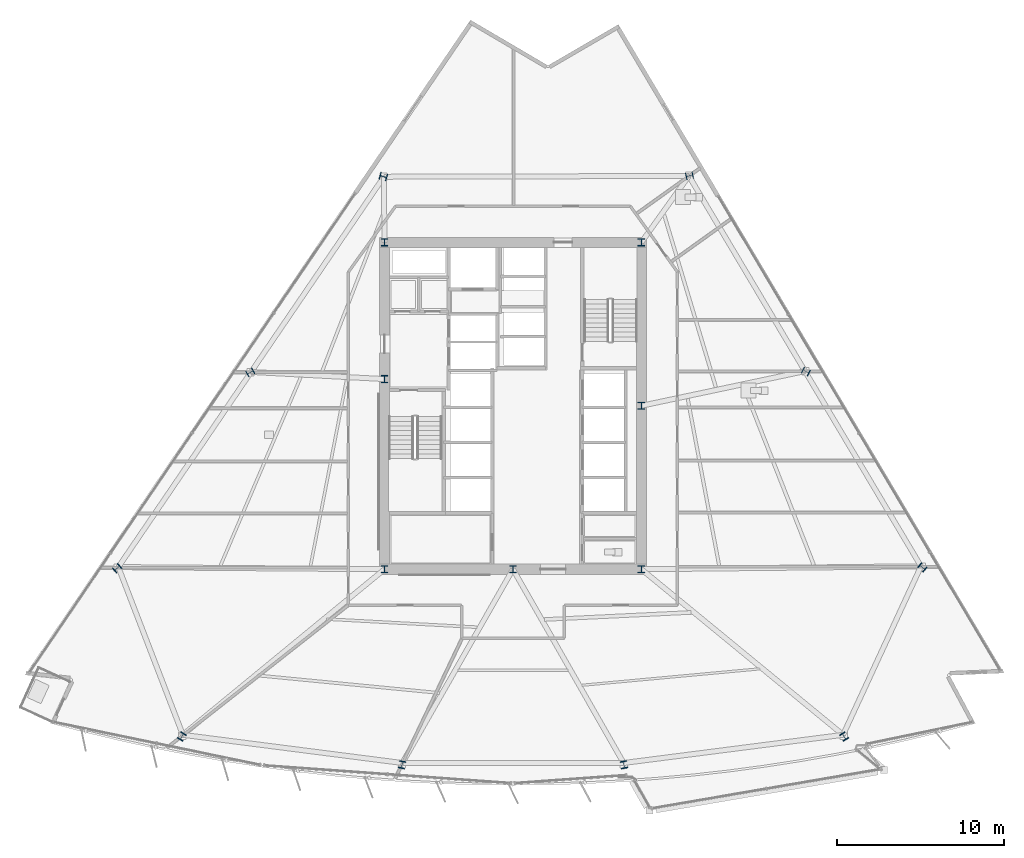
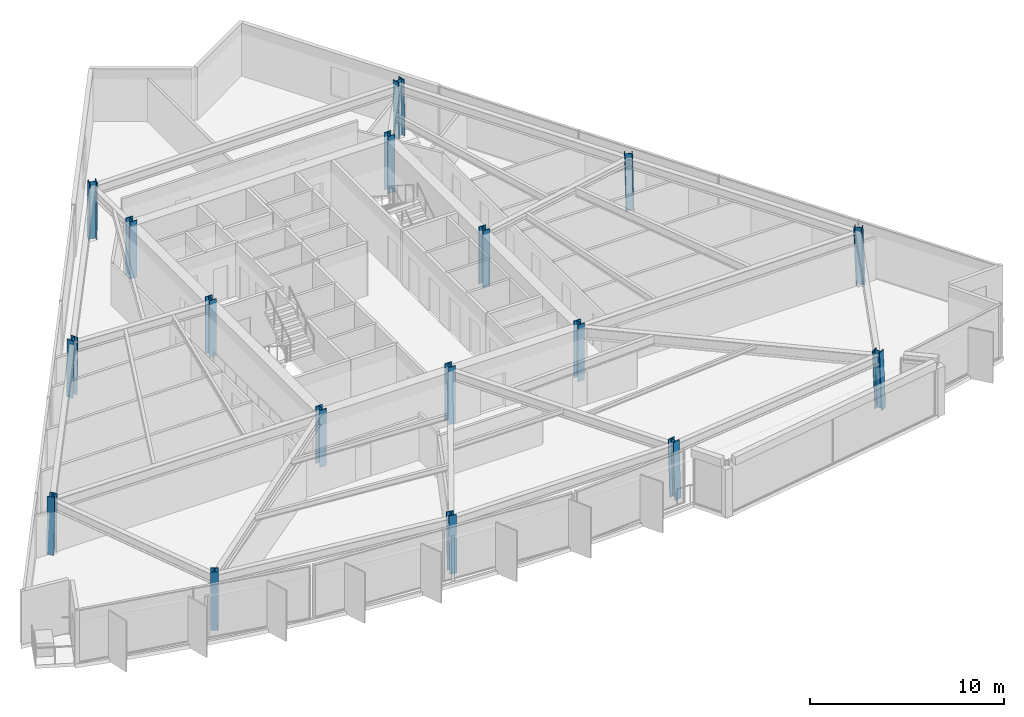
# One storey, part 1 of 16: 17 columns.
"""IFC4 building model written with IfcOpenShell, lengths in metres."""

from ifc_helpers import new_model, si_unit, direction, frame, origin, origin_2d, place, context, subcontext, project, spatial, i_section, extrude, material, material_profile, profile_set, type_object, element, save


model = new_model("IFC4")

# Units and contexts
model_context = context("Model", 3, precision=1e-05, world=origin(), true_north=direction((0.0, 1.0)))
body_context = subcontext(model_context, "Body", "Model", "MODEL_VIEW")
ifc_project = project(units=[si_unit("LENGTHUNIT", "METRE"), si_unit("AREAUNIT", "SQUARE_METRE"), si_unit("VOLUMEUNIT", "CUBIC_METRE"), si_unit("PLANEANGLEUNIT", "RADIAN"), si_unit("MASSUNIT", "GRAM", prefix="KILO")], contexts=[model_context])

# Site, building, storey
site_placement = place(None, origin())
site = spatial("IfcSite", under=ifc_project, at=site_placement, CompositionType="ELEMENT")
building_placement = place(site_placement, origin())
building = spatial("IfcBuilding", under=site, at=building_placement, Name="Savorim Split Tower", CompositionType="ELEMENT")
storey_placement = place(building_placement, frame((0.0, 0.0, 51.60009765625)))
storey = spatial("IfcBuildingStorey", under=building, at=storey_placement, Name="L13", CompositionType="ELEMENT", Elevation=51.60009765625)

# Columns
ifc_material = material(Name="Steel S460", Category="steel")
ifc_material_profile_1 = material_profile(ifc_material, i_section(OverallWidth=0.412109375, OverallDepth=0.43505859375, WebThickness=0.022705078125, FlangeThickness=0.037109375, FilletRadius=0.014892578125, at=origin_2d()), Name="HD 400x463")
ifc_profile_set_1 = profile_set([ifc_material_profile_1], Name="Steel S460")
column_type_1 = type_object("IfcColumnType", Name="COL-HD-463", PredefinedType="COLUMN", material=ifc_profile_set_1)
column_1_placement = place(storey_placement, frame((-19.86376953125, -19.4462890625, 0.00537109375), z_axis=(0.020594893987, 0.033509183946, 0.999226193078), x_axis=(-0.851954850327, 0.523615252838, 0.0)))
element("IfcColumn", 1, at=column_1_placement, inside=storey, type_object=column_type_1, Name="L13 Tapered Perimeter Column PC-S1", PredefinedType="COLUMN", context=body_context, shape_type="SweptSolid", body=[
    extrude(i_section(OverallWidth=0.412109375, OverallDepth=0.43505859375, WebThickness=0.022705078125, FlangeThickness=0.037109375, FilletRadius=0.014892578125, at=origin_2d()), origin(), (0.0, 0.0, 1.0), 3.591796875),
])
for number, where, z_axis, x_axis, name in (
    (2, (-6.657470703125, -21.141845703125, 0.00537109375), (0.00693381708, 0.03528089279, 0.999353381334), (-0.981229659911, 0.192842823335, 0.0), "L13 Tapered Perimeter Column PC-S2"),
    (3, (6.657470703125, -21.141845703125, 0.00537109375), (-0.00693381708, 0.03528089279, 0.999353381334), (-0.981229659911, -0.192842823335, 0.0), "L13 Tapered Perimeter Column PC-S3"),
):
    element("IfcColumn", number, at=place(storey_placement, frame(where, z_axis=z_axis, x_axis=x_axis)), inside=storey, type_object=column_type_1, Name=name, PredefinedType="COLUMN", context=body_context, shape_type="SweptSolid", body=[
        extrude(i_section(OverallWidth=0.412109375, OverallDepth=0.43505859375, WebThickness=0.022705078125, FlangeThickness=0.037109375, FilletRadius=0.014892578125, at=origin_2d()), origin(), (0.0, 0.0, 1.0), 3.591552734375),
    ])
column_2_placement = place(storey_placement, frame((19.86376953125, -19.4462890625, 0.00537109375), z_axis=(-0.020594893987, 0.033509183946, 0.999226193078), x_axis=(-0.851954850327, -0.523615252838, 0.0)))
element("IfcColumn", 4, at=column_2_placement, inside=storey, type_object=column_type_1, Name="L13 Tapered Perimeter Column PC-S4", PredefinedType="COLUMN", context=body_context, shape_type="SweptSolid", body=[
    extrude(i_section(OverallWidth=0.412109375, OverallDepth=0.43505859375, WebThickness=0.022705078125, FlangeThickness=0.037109375, FilletRadius=0.014892578125, at=origin_2d()), origin(), (0.0, 0.0, 1.0), 3.591796875),
])
column_3_placement = place(storey_placement, frame((24.554931640625, -9.300048828125, 0.00537109375), z_axis=(-0.026105663043, 0.021618752208, 0.999425396871), x_axis=(-0.637813971185, -0.770190455771, 0.0)))
element("IfcColumn", 5, at=column_3_placement, inside=storey, type_object=column_type_1, Name="L13 Tapered Perimeter Column PC-E1", PredefinedType="COLUMN", context=body_context, shape_type="SweptSolid", body=[
    extrude(i_section(OverallWidth=0.412109375, OverallDepth=0.43505859375, WebThickness=0.022705078125, FlangeThickness=0.037109375, FilletRadius=0.014892578125, at=origin_2d()), origin(), (0.0, 0.0, 1.0), 3.591064453125),
])
column_4_placement = place(storey_placement, frame((17.572021484375, 2.443115234375, 0.00537109375), z_axis=(-0.018906041, 0.009521027842, 0.999775930718), x_axis=(-0.449781931574, -0.893138406984, 0.0)))
element("IfcColumn", 6, at=column_4_placement, inside=storey, type_object=column_type_1, Name="L13 Tapered Perimeter Column PC-E2", PredefinedType="COLUMN", context=body_context, shape_type="SweptSolid", body=[
    extrude(i_section(OverallWidth=0.412109375, OverallDepth=0.43505859375, WebThickness=0.022705078125, FlangeThickness=0.037109375, FilletRadius=0.014892578125, at=origin_2d()), origin(), (0.0, 0.0, 1.0), 3.58984375),
])
for number, where, z_axis, x_axis, name in (
    (7, (10.58935546875, 14.186279296875, 0.00537109375), (-0.011699046613, -0.002516655376, 0.999928396814), (0.210305364179, -0.977635746993, 0.0), "L13 Tapered Perimeter Column PC-E3"),
    (8, (-7.7705078125, 14.137451171875, 0.00537109375), (0.008842562123, -0.00251672922, 0.999957736691), (0.273743828055, 0.961802639112, 0.0), "L13 Tapered Perimeter Column PC-W1"),
):
    element("IfcColumn", number, at=place(storey_placement, frame(where, z_axis=z_axis, x_axis=x_axis)), inside=storey, type_object=column_type_1, Name=name, PredefinedType="COLUMN", context=body_context, shape_type="SweptSolid", body=[
        extrude(i_section(OverallWidth=0.412109375, OverallDepth=0.43505859375, WebThickness=0.022705078125, FlangeThickness=0.037109375, FilletRadius=0.014892578125, at=origin_2d()), origin(), (0.0, 0.0, 1.0), 3.58935546875),
    ])
column_5_placement = place(storey_placement, frame((-15.759033203125, 2.394287109375, 0.00537109375), z_axis=(0.017002405671, 0.009589356798, 0.999809463067), x_axis=(-0.491253415567, 0.871016694268, 0.0)))
element("IfcColumn", 9, at=column_5_placement, inside=storey, type_object=column_type_1, Name="L13 Tapered Perimeter Column PC-W2", PredefinedType="COLUMN", context=body_context, shape_type="SweptSolid", body=[
    extrude(i_section(OverallWidth=0.412109375, OverallDepth=0.43505859375, WebThickness=0.022705078125, FlangeThickness=0.037109375, FilletRadius=0.014892578125, at=origin_2d()), origin(), (0.0, 0.0, 1.0), 3.58984375),
])
column_6_placement = place(storey_placement, frame((-23.747802734375, -9.348876953125, 0.00537109375), z_axis=(0.025290391274, 0.021619205444, 0.999446349768), x_axis=(-0.649781149204, 0.760121344352, 0.0)))
element("IfcColumn", 10, at=column_6_placement, inside=storey, type_object=column_type_1, Name="L13 Tapered Perimeter Column PC-W3", PredefinedType="COLUMN", context=body_context, shape_type="SweptSolid", body=[
    extrude(i_section(OverallWidth=0.412109375, OverallDepth=0.43505859375, WebThickness=0.022705078125, FlangeThickness=0.037109375, FilletRadius=0.014892578125, at=origin_2d()), origin(), (0.0, 0.0, 1.0), 3.591064453125),
])
ifc_material_profile_2 = material_profile(ifc_material, i_section(OverallWidth=0.416015625, OverallDepth=0.446044921875, WebThickness=0.02490234375, FlangeThickness=0.0400390625, FilletRadius=0.014892578125, at=origin_2d()), Name="HD 400x509")
ifc_profile_set_2 = profile_set([ifc_material_profile_2], Name="Steel S460")
column_type_2 = type_object("IfcColumnType", Name="COL-HD-509", PredefinedType="COLUMN", material=ifc_profile_set_2)
for number, where, z_axis, x_axis, name in (
    (11, (-7.699951171875, -9.39990234375, 0.0), (0.0, 0.0, 1.0), (1.0, 0.0, 0.0), "L13 Core Structural Column TC-C1"),
    (12, (7.699951171875, -9.39990234375, 0.0), (0.0, 0.0, 1.0), (1.0, 0.0, 0.0), "L13 Core Structural Column TC-C2"),
    (13, (7.699951171875, 10.199951171875, 0.0), (0.0, 0.0, 1.0), (1.0, 0.0, 0.0), "L13 Core Structural Column TC-C3"),
    (14, (-7.699951171875, 10.199951171875, 0.0), (0.0, 0.0, 1.0), (1.0, 0.0, 0.0), "L13 Core Structural Column TC-C4"),
    (15, (0.0, -9.39990234375, 0.0), (0.0, 0.0, 1.0), (1.0, 0.0, 0.0), "L13 Core Structural Column TC-C5"),
    (16, (7.699951171875, 0.39990234375, 0.0), (0.0, 0.0, 1.0), (1.0, 0.0, 0.0), "L13 Core Structural Column TC-C6"),
    (17, (-7.699951171875, 2.0, 0.0), (0.0, 0.0, 1.0), (1.0, 0.0, 0.0), "L13 Core Structural Column TC-C7"),
):
    element("IfcColumn", number, at=place(storey_placement, frame(where, z_axis=z_axis, x_axis=x_axis)), inside=storey, type_object=column_type_2, Name=name, PredefinedType="COLUMN", context=body_context, shape_type="SweptSolid", body=[
        extrude(i_section(OverallWidth=0.416015625, OverallDepth=0.446044921875, WebThickness=0.02490234375, FlangeThickness=0.0400390625, FilletRadius=0.014892578125, at=origin_2d()), origin(), (0.0, 0.0, 1.0), 3.599853515625),
    ])

save(model, "model.ifc")
